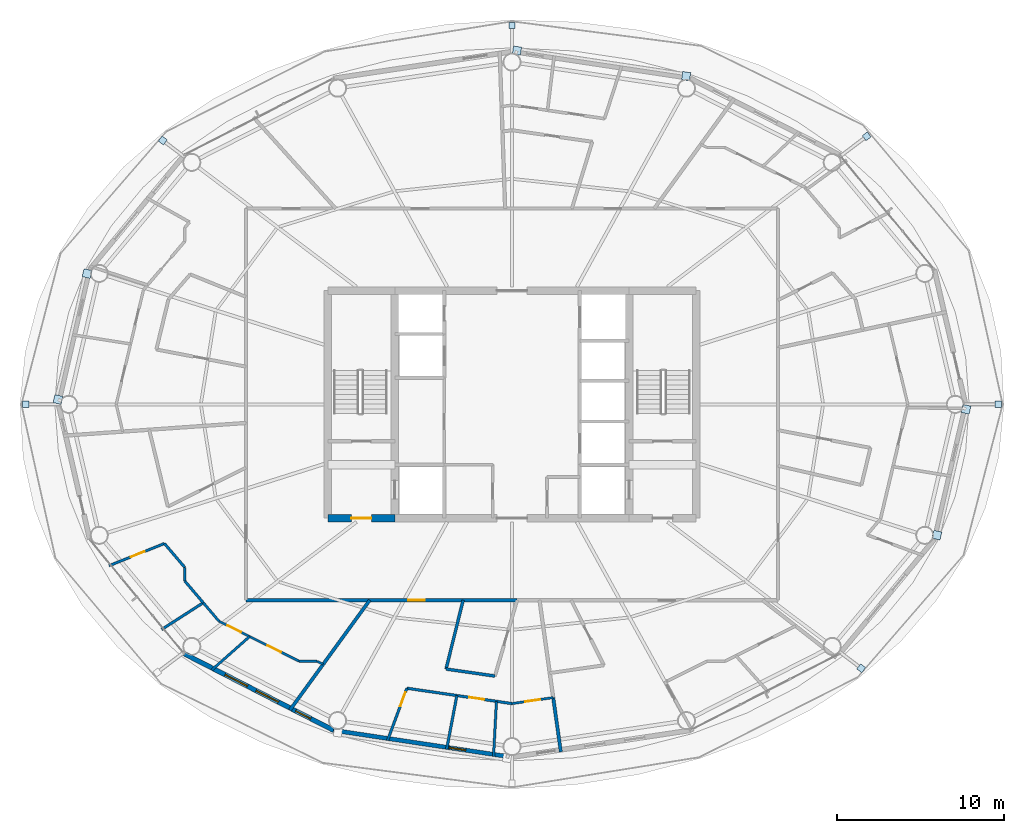
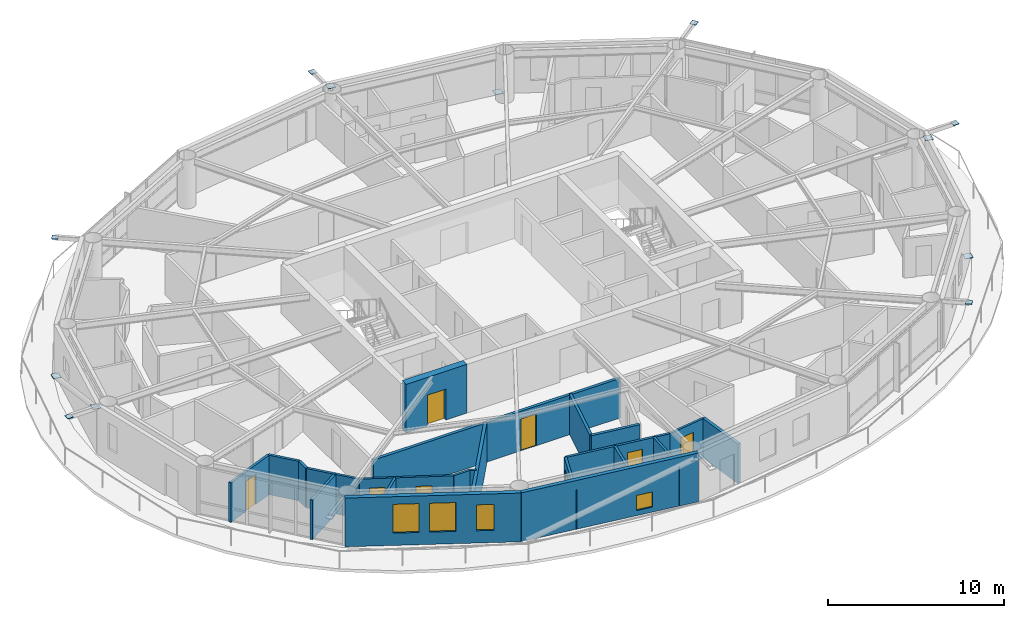
# One storey, part 20 of 30: 23 walls, 12 plates, 8 doors, 4 windows, 12 openings.
"""IFC4 building model written with IfcOpenShell, lengths in metres."""

from ifc_helpers import new_model, si_unit, direction, frame, frame_2d, origin, origin_2d, place, context, subcontext, project, spatial, rectangle, extrude, material, layer, layer_set, type_object, element, fill, save


model = new_model("IFC4")

# Units and contexts
model_context = context("Model", 3, precision=1e-05, world=origin(), true_north=direction((0.0, 1.0)))
body_context = subcontext(model_context, "Body", "Model", "MODEL_VIEW")
ifc_project = project(units=[si_unit("LENGTHUNIT", "METRE"), si_unit("AREAUNIT", "SQUARE_METRE"), si_unit("VOLUMEUNIT", "CUBIC_METRE"), si_unit("PLANEANGLEUNIT", "RADIAN"), si_unit("MASSUNIT", "GRAM", prefix="KILO")], contexts=[model_context])

# Site, building, storey
site_placement = place(None, origin())
site = spatial("IfcSite", under=ifc_project, at=site_placement, CompositionType="ELEMENT")
building_placement = place(site_placement, origin())
building = spatial("IfcBuilding", under=site, at=building_placement, Name="Sarneth Arch Tower", CompositionType="ELEMENT")
storey_placement = place(building_placement, frame((0.0, 0.0, 161.39990234375)))
storey = spatial("IfcBuildingStorey", under=building, at=storey_placement, Name="L40", CompositionType="ELEMENT", Elevation=161.39990234375)

# Plates
ifc_material_1 = material(Name="Steel S355", Category="steel")
ifc_layer_1 = layer(ifc_material_1, 0.035888671875)
ifc_layer_set_1 = layer_set([ifc_layer_1], Name="Steel S355")
plate_type = type_object("IfcPlateType", Name="PLT-GUSSET-30", PredefinedType="SHEET", material=ifc_layer_set_1)
for number, where, z_axis, x_axis, name in (
    (1, (77.0458984375, 42.0, 3.2021484375), (0.0, 0.0, 1.0), (1.0, 0.0, 0.0), "Steel end cap plate GP-1"),
    (2, (69.191650390625, 58.015625, 3.2021484375), (0.0, 0.0, 1.0), (0.797794439539, 0.602929541689, 0.0), "Steel end cap plate GP-1"),
):
    element("IfcPlate", number, at=place(storey_placement, frame(where, z_axis=z_axis, x_axis=x_axis)), inside=storey, type_object=plate_type, Name=name, PredefinedType="SHEET", context=body_context, shape_type="SweptSolid", body=[
        extrude(rectangle(XDim=0.3798828125, YDim=0.3798828125, at=origin_2d()), origin(), (0.0, 0.0, 1.0), 0.035888671875),
    ])
for number, where, z_axis, x_axis, name in (
    (3, (58.404296875, 61.612548828125, 0.001953125), (0.0, 0.0, 1.0), (-0.98883454203, 0.149017611339, 0.0), "Steel end cap plate GP-1"),
    (4, (48.296630859375, 63.13525390625, 3.03271484375), (0.0, 0.0, 1.0), (-0.98883454203, 0.149017611339, 0.0), "Steel end cap plate GP-1"),
):
    element("IfcPlate", number, at=place(storey_placement, frame(where, z_axis=z_axis, x_axis=x_axis)), inside=storey, type_object=plate_type, Name=name, PredefinedType="SHEET", context=body_context, shape_type="SweptSolid", body=[
        extrude(rectangle(XDim=0.486083984375, YDim=0.486083984375, at=origin_2d()), origin(), (0.0, 0.0, 1.0), 0.035888671875),
    ])
for number, where, z_axis, x_axis, name in (
    (5, (48.0, 64.640869140625, 3.2021484375), (0.0, 0.0, 1.0), (0.0, 1.0, 0.0), "Steel end cap plate GP-1"),
    (6, (27.134521484375, 57.76904296875, 3.2021484375), (0.0, 0.0, 1.0), (-0.797794439539, 0.602929541689, 0.0), "Steel end cap plate GP-1"),
):
    element("IfcPlate", number, at=place(storey_placement, frame(where, z_axis=z_axis, x_axis=x_axis)), inside=storey, type_object=plate_type, Name=name, PredefinedType="SHEET", context=body_context, shape_type="SweptSolid", body=[
        extrude(rectangle(XDim=0.3798828125, YDim=0.3798828125, at=origin_2d()), origin(), (0.0, 0.0, 1.0), 0.035888671875),
    ])
for number, where, z_axis, x_axis, name in (
    (7, (22.609619140625, 49.81298828125, 0.001953125), (0.0, 0.0, 1.0), (-0.225291159947, -0.974291482694, 0.0), "Steel end cap plate GP-1"),
    (8, (20.87109375, 42.292236328125, 3.03271484375), (0.0, 0.0, 1.0), (-0.225291159947, -0.974291482694, 0.0), "Steel end cap plate GP-1"),
):
    element("IfcPlate", number, at=place(storey_placement, frame(where, z_axis=z_axis, x_axis=x_axis)), inside=storey, type_object=plate_type, Name=name, PredefinedType="SHEET", context=body_context, shape_type="SweptSolid", body=[
        extrude(rectangle(XDim=0.486083984375, YDim=0.486083984375, at=origin_2d()), origin(), (0.0, 0.0, 1.0), 0.035888671875),
    ])
for number, where, z_axis, x_axis, name in (
    (9, (18.9541015625, 42.0, 3.2021484375), (0.0, 0.0, 1.0), (-1.0, 0.0, 0.0), "Steel end cap plate GP-1"),
    (10, (68.865478515625, 26.23095703125, 3.2021484375), (0.0, 0.0, 1.0), (0.797794439539, -0.602929541689, 0.0), "Steel end cap plate GP-1"),
):
    element("IfcPlate", number, at=place(storey_placement, frame(where, z_axis=z_axis, x_axis=x_axis)), inside=storey, type_object=plate_type, Name=name, PredefinedType="SHEET", context=body_context, shape_type="SweptSolid", body=[
        extrude(rectangle(XDim=0.3798828125, YDim=0.3798828125, at=origin_2d()), origin(), (0.0, 0.0, 1.0), 0.035888671875),
    ])
for number, where, z_axis, x_axis, name in (
    (11, (73.390380859375, 34.18701171875, 0.001953125), (0.0, 0.0, 1.0), (0.225291159947, 0.974291482694, 0.0), "Steel end cap plate GP-1"),
    (12, (75.12890625, 41.707763671875, 3.03271484375), (0.0, 0.0, 1.0), (0.225291159947, 0.974291482694, 0.0), "Steel end cap plate GP-1"),
):
    element("IfcPlate", number, at=place(storey_placement, frame(where, z_axis=z_axis, x_axis=x_axis)), inside=storey, type_object=plate_type, Name=name, PredefinedType="SHEET", context=body_context, shape_type="SweptSolid", body=[
        extrude(rectangle(XDim=0.486083984375, YDim=0.486083984375, at=origin_2d()), origin(), (0.0, 0.0, 1.0), 0.035888671875),
    ])

# Wall, opening, door
ifc_material_2 = material(Name="Concrete C50/60", Category="concrete")
ifc_layer_2 = layer(ifc_material_2, 0.449951171875)
ifc_layer_set_2 = layer_set([ifc_layer_2], Name="Concrete C50/60")
wall_type_1 = type_object("IfcWallType", Name="WALL-CORE-450", PredefinedType="SHEAR", material=ifc_layer_set_2)
wall_1_placement = place(storey_placement, frame((37.0, 35.199951171875, 0.0), z_axis=(0.0, 0.0, 1.0), x_axis=(1.0, 0.0, 0.0)))
wall_1 = element("IfcWall", 13, at=wall_1_placement, inside=storey, type_object=wall_type_1, Name="L40 Core shear wall S-W", PredefinedType="SHEAR", context=body_context, shape_type="SweptSolid", body=[
    extrude(rectangle(XDim=4.0, YDim=0.449951171875, at=frame_2d((2.0, 0.0))), origin(), (0.0, 0.0, 1.0), 3.380126953125),
])
opening_1_placement = place(wall_1_placement, frame((1.39990234375, 0.0, 0.0)))
opening_1 = element("IfcOpeningElement", 14, at=opening_1_placement, cuts=wall_1, Name="Opening FD-02", PredefinedType="OPENING", context=body_context, shape_type="SweptSolid", body=[
    extrude(rectangle(XDim=1.199951171875, YDim=2.14990234375, at=frame_2d((0.60009765625, 1.074951171875))), frame((0.0, 0.23486328125, 0.0), z_axis=(0.0, -1.0, 0.0), x_axis=(1.0, 0.0, 0.0)), (0.0, 0.0, 1.0), 0.469970703125),
])
ifc_material_3 = material(Name="Galvanised Steel S275 fire door set", Category="steel")
door_type_1 = type_object("IfcDoorType", Name="DR-FD90-1200", OperationType="SINGLE_SWING_LEFT", PredefinedType="DOOR", material=ifc_material_3)
door_1_placement = place(opening_1_placement, origin())
door_1 = element("IfcDoor", 15, at=door_1_placement, inside=storey, type_object=door_type_1, Name="L40 Firefighting lobby 1 exit door", OperationType="SINGLE_SWING_LEFT", OverallHeight=2.14990234375, OverallWidth=1.199951171875, PredefinedType="DOOR", context=body_context, shape_type="SweptSolid", body=[
    extrude(rectangle(XDim=1.199951171875, YDim=2.14990234375, at=frame_2d((0.60009765625, 1.074951171875))), frame((0.0, 0.02490234375, 0.0), z_axis=(0.0, -1.0, 0.0), x_axis=(1.0, 0.0, 0.0)), (0.0, 0.0, 1.0), 0.050048828125),
])
fill(opening_1, door_1)

ifc_material_4 = material(Name="Double steel-stud corridor fire wall", Category="steel")
ifc_layer_3 = layer(ifc_material_4, 0.18994140625)
ifc_layer_set_3 = layer_set([ifc_layer_3], Name="Double steel-stud corridor fire wall")
wall_type_2 = type_object("IfcWallType", Name="WALL-CORR-190", PredefinedType="PARTITIONING", material=ifc_layer_set_3)
wall_2_placement = place(storey_placement, frame((48.307861328125, 30.300048828125, 0.0), z_axis=(0.0, 0.0, 1.0), x_axis=(-1.0, 0.0, 0.0)))
wall_2 = element("IfcWall", 16, at=wall_2_placement, inside=storey, type_object=wall_type_2, Name="L40 Interior partition W-L40-TP-011", PredefinedType="PARTITIONING", context=body_context, shape_type="SweptSolid", body=[
    extrude(rectangle(XDim=16.207763671875, YDim=0.18994140625, at=frame_2d((8.10400390625, 0.0))), origin(), (0.0, 0.0, 1.0), 2.739990234375),
])
opening_2_placement = place(wall_2_placement, frame((5.52001953125, 0.0, 0.0)))
opening_2 = element("IfcOpeningElement", 17, at=opening_2_placement, cuts=wall_2, Name="Opening FD-08", PredefinedType="OPENING", context=body_context, shape_type="SweptSolid", body=[
    extrude(rectangle(XDim=1.0, YDim=2.199951171875, at=frame_2d((0.5, 1.10009765625))), frame((0.0, 0.10498046875, 0.0), z_axis=(0.0, -1.0, 0.0), x_axis=(1.0, 0.0, 0.0)), (0.0, 0.0, 1.0), 0.2099609375),
])
ifc_material_5 = material(Name="Hardwood timber acoustic fire door", Category="wood")
door_type_2 = type_object("IfcDoorType", Name="DR-FD60-1000", OperationType="SINGLE_SWING_LEFT", PredefinedType="DOOR", material=ifc_material_5)
door_2_placement = place(opening_2_placement, origin())
door_2 = element("IfcDoor", 18, at=door_2_placement, inside=storey, type_object=door_type_2, Name="L40 Interior door DR-L40-U6-ENT", OperationType="SINGLE_SWING_RIGHT", OverallHeight=2.199951171875, OverallWidth=1.0, PredefinedType="DOOR", context=body_context, shape_type="SweptSolid", body=[
    extrude(rectangle(XDim=1.0, YDim=2.199951171875, at=frame_2d((0.5, 1.10009765625))), frame((0.0, 0.02490234375, 0.0), z_axis=(0.0, -1.0, 0.0), x_axis=(1.0, 0.0, 0.0)), (0.0, 0.0, 1.0), 0.050048828125),
])
fill(opening_2, door_2)

# Wall, opening, window
ifc_material_6 = material(Name="Extruded terracotta rainscreen on Concrete C40/50 backing", Category="masonry")
ifc_layer_4 = layer(ifc_material_6, 0.25)
ifc_layer_set_4 = layer_set([ifc_layer_4], Name="Extruded terracotta rainscreen on Concrete C40/50 backing")
wall_type_3 = type_object("IfcWallType", Name="WALL-EXT-SPAND-250", PredefinedType="SOLIDWALL", material=ifc_layer_set_4)
wall_3_placement = place(storey_placement, frame((37.337158203125, 22.524658203125, 0.0), z_axis=(0.0, 0.0, 1.0), x_axis=(0.988863993413, -0.148822049884, 0.0)))
wall_3 = element("IfcWall", 19, at=wall_3_placement, inside=storey, type_object=wall_type_3, Name="L40 Terracotta perimeter wall 12", PredefinedType="SOLIDWALL", context=body_context, shape_type="SweptSolid", body=[
    extrude(rectangle(XDim=10.782958984375, YDim=0.25, at=frame_2d((5.3916015625, 0.0))), origin(), (0.0, 0.0, 1.0), 3.380126953125),
])
opening_3_placement = place(wall_3_placement, frame((6.993408203125, 0.0, 0.35009765625)))
opening_3 = element("IfcOpeningElement", 20, at=opening_3_placement, cuts=wall_3, Name="Opening W-14", PredefinedType="OPENING", context=body_context, shape_type="SweptSolid", body=[
    extrude(rectangle(XDim=1.0, YDim=1.050048828125, at=frame_2d((0.5, 0.52490234375))), frame((0.0, 0.135009765625, 0.0), z_axis=(0.0, -1.0, 0.0), x_axis=(1.0, 0.0, 0.0)), (0.0, 0.0, 1.0), 0.27001953125),
])
ifc_material_7 = material(Name="Thermally broken Aluminium 6063-T6 and low-e laminated IGU", Category="aluminium")
window_type_1 = type_object("IfcWindowType", Name="WIN-TWR-1000x1050", PartitioningType="SINGLE_PANEL", PredefinedType="WINDOW", material=ifc_material_7)
window_1_placement = place(opening_3_placement, origin())
window_1 = element("IfcWindow", 21, at=window_1_placement, inside=storey, type_object=window_type_1, Name="L40 Dwelling bedroom window 05", OverallHeight=1.050048828125, OverallWidth=1.0, PartitioningType="SINGLE_PANEL", PredefinedType="WINDOW", context=body_context, shape_type="SweptSolid", body=[
    extrude(rectangle(XDim=1.0, YDim=1.050048828125, at=frame_2d((0.5, 0.52490234375))), frame((0.0, 0.030029296875, 0.0), z_axis=(0.0, -1.0, 0.0), x_axis=(1.0, 0.0, 0.0)), (0.0, 0.0, 1.0), 0.06005859375),
])
fill(opening_3, window_1)

# Wall, openings, windows
ifc_material_8 = material(Name="Extruded terracotta rainscreen on Concrete C40/50 backing", Category="masonry")
ifc_layer_5 = layer(ifc_material_8, 0.280029296875)
ifc_layer_set_5 = layer_set([ifc_layer_5], Name="Extruded terracotta rainscreen on Concrete C40/50 backing")
wall_type_4 = type_object("IfcWallType", Name="WALL-EXT-TERRA-280", PredefinedType="SOLIDWALL", material=ifc_layer_set_5)
wall_4_placement = place(storey_placement, frame((28.423828125, 27.09423828125, 0.0), z_axis=(0.0, 0.0, 1.0), x_axis=(0.889872523182, -0.456209263919, 0.0)))
wall_4 = element("IfcWall", 22, at=wall_4_placement, inside=storey, type_object=wall_type_4, Name="L40 Terracotta perimeter wall 11", PredefinedType="SOLIDWALL", context=body_context, shape_type="SweptSolid", body=[
    extrude(rectangle(XDim=10.016357421875, YDim=0.280029296875, at=frame_2d((5.00830078125, 0.0))), origin(), (0.0, 0.0, 1.0), 3.380126953125),
])
opening_4_placement = place(wall_4_placement, frame((2.729248046875, 0.0, 0.85009765625)))
opening_4 = element("IfcOpeningElement", 23, at=opening_4_placement, cuts=wall_4, Name="Opening W-06", PredefinedType="OPENING", context=body_context, shape_type="SweptSolid", body=[
    extrude(rectangle(XDim=1.5, YDim=2.0, at=frame_2d((0.75, 1.0))), frame((0.0, 0.14990234375, 0.0), z_axis=(0.0, -1.0, 0.0), x_axis=(1.0, 0.0, 0.0)), (0.0, 0.0, 1.0), 0.300048828125),
])
opening_5_placement = place(wall_4_placement, frame((4.81103515625, 0.0, 0.85009765625)))
opening_5 = element("IfcOpeningElement", 24, at=opening_5_placement, cuts=wall_4, Name="Opening W-06", PredefinedType="OPENING", context=body_context, shape_type="SweptSolid", body=[
    extrude(rectangle(XDim=1.5, YDim=2.0, at=frame_2d((0.75, 1.0))), frame((0.0, 0.14990234375, 0.0), z_axis=(0.0, -1.0, 0.0), x_axis=(1.0, 0.0, 0.0)), (0.0, 0.0, 1.0), 0.300048828125),
])
opening_6_placement = place(wall_4_placement, frame((7.479248046875, 0.0, 0.85009765625)))
opening_6 = element("IfcOpeningElement", 25, at=opening_6_placement, cuts=wall_4, Name="Opening W-11", PredefinedType="OPENING", context=body_context, shape_type="SweptSolid", body=[
    extrude(rectangle(XDim=1.0, YDim=1.800048828125, at=frame_2d((0.5, 0.89990234375))), frame((0.0, 0.14990234375, 0.0), z_axis=(0.0, -1.0, 0.0), x_axis=(1.0, 0.0, 0.0)), (0.0, 0.0, 1.0), 0.300048828125),
])
ifc_material_9 = material(Name="Thermally broken Aluminium 6063-T6 and low-e laminated IGU", Category="aluminium")
window_type_2 = type_object("IfcWindowType", Name="WIN-TWR-1000x1800", PartitioningType="SINGLE_PANEL", PredefinedType="WINDOW", material=ifc_material_9)
window_2_placement = place(opening_6_placement, origin())
window_2 = element("IfcWindow", 26, at=window_2_placement, inside=storey, type_object=window_type_2, Name="L40 Exterior window 11C", OverallHeight=1.800048828125, OverallWidth=1.0, PartitioningType="SINGLE_PANEL", PredefinedType="WINDOW", context=body_context, shape_type="SweptSolid", body=[
    extrude(rectangle(XDim=1.0, YDim=1.800048828125, at=frame_2d((0.5, 0.89990234375))), frame((0.0, 0.030029296875, 0.0), z_axis=(0.0, -1.0, 0.0), x_axis=(1.0, 0.0, 0.0)), (0.0, 0.0, 1.0), 0.06005859375),
])
fill(opening_6, window_2)
ifc_material_10 = material(Name="Thermally broken Aluminium 6063-T6 and low-e laminated IGU", Category="aluminium")
window_type_3 = type_object("IfcWindowType", Name="WIN-TWR-1500x2000", PartitioningType="SINGLE_PANEL", PredefinedType="WINDOW", material=ifc_material_10)
window_3_placement = place(opening_4_placement, origin())
window_3 = element("IfcWindow", 27, at=window_3_placement, inside=storey, type_object=window_type_3, Name="L40 Exterior window 11A", OverallHeight=2.0, OverallWidth=1.5, PartitioningType="SINGLE_PANEL", PredefinedType="WINDOW", context=body_context, shape_type="SweptSolid", body=[
    extrude(rectangle(XDim=1.5, YDim=2.0, at=frame_2d((0.75, 1.0))), frame((0.0, 0.030029296875, 0.0), z_axis=(0.0, -1.0, 0.0), x_axis=(1.0, 0.0, 0.0)), (0.0, 0.0, 1.0), 0.06005859375),
])
fill(opening_4, window_3)
window_4_placement = place(opening_5_placement, origin())
window_4 = element("IfcWindow", 28, at=window_4_placement, inside=storey, type_object=window_type_3, Name="L40 Exterior window 11B", OverallHeight=2.0, OverallWidth=1.5, PartitioningType="SINGLE_PANEL", PredefinedType="WINDOW", context=body_context, shape_type="SweptSolid", body=[
    extrude(rectangle(XDim=1.5, YDim=2.0, at=frame_2d((0.75, 1.0))), frame((0.0, 0.030029296875, 0.0), z_axis=(0.0, -1.0, 0.0), x_axis=(1.0, 0.0, 0.0)), (0.0, 0.0, 1.0), 0.06005859375),
])
fill(opening_5, window_4)

# Wall, openings, doors
ifc_material_11 = material(Name="Apartment internal stud partition", Category="gypsum")
ifc_layer_6 = layer(ifc_material_11, 0.139892578125)
ifc_layer_set_6 = layer_set([ifc_layer_6], Name="Apartment internal stud partition")
wall_type_5 = type_object("IfcWallType", Name="WALL-PART-140", PredefinedType="PARTITIONING", material=ifc_layer_set_6)
wall_5_placement = place(storey_placement, frame((35.28662109375, 26.64990234375, 0.0), z_axis=(0.0, 0.0, 1.0), x_axis=(-0.894937323042, 0.44619187333, 0.0)))
wall_5 = element("IfcWall", 29, at=wall_5_placement, inside=storey, type_object=wall_type_5, Name="L40 Interior partition W-L40-TP-080", PredefinedType="PARTITIONING", context=body_context, shape_type="SweptSolid", body=[
    extrude(rectangle(XDim=5.35400390625, YDim=0.139892578125, at=frame_2d((2.677001953125, 0.0))), origin(), (0.0, 0.0, 1.0), 2.739990234375),
])
opening_7_placement = place(wall_5_placement, frame((1.22412109375, 0.0, 0.0)))
opening_7 = element("IfcOpeningElement", 30, at=opening_7_placement, cuts=wall_5, Name="Opening ID-01", PredefinedType="OPENING", context=body_context, shape_type="SweptSolid", body=[
    extrude(rectangle(XDim=0.89990234375, YDim=2.10009765625, at=frame_2d((0.449951171875, 1.050048828125))), frame((0.0, 0.079833984375, 0.0), z_axis=(0.0, -1.0, 0.0), x_axis=(1.0, 0.0, 0.0)), (0.0, 0.0, 1.0), 0.159912109375),
])
opening_8_placement = place(wall_5_placement, frame((3.8837890625, 0.0, 0.0)))
opening_8 = element("IfcOpeningElement", 31, at=opening_8_placement, cuts=wall_5, Name="Opening ID-01", PredefinedType="OPENING", context=body_context, shape_type="SweptSolid", body=[
    extrude(rectangle(XDim=0.89990234375, YDim=2.10009765625, at=frame_2d((0.449951171875, 1.050048828125))), frame((0.0, 0.079833984375, 0.0), z_axis=(0.0, -1.0, 0.0), x_axis=(1.0, 0.0, 0.0)), (0.0, 0.0, 1.0), 0.159912109375),
])
ifc_material_12 = material(Name="Engineered hardwood flush door", Category="wood")
door_type_3 = type_object("IfcDoorType", Name="DR-INT-900", OperationType="SINGLE_SWING_LEFT", PredefinedType="DOOR", material=ifc_material_12)
door_3_placement = place(opening_7_placement, origin())
door_3 = element("IfcDoor", 32, at=door_3_placement, inside=storey, type_object=door_type_3, Name="L40 Interior door DR-L40-U5-BED2", OperationType="SINGLE_SWING_RIGHT", OverallHeight=2.10009765625, OverallWidth=0.89990234375, PredefinedType="DOOR", context=body_context, shape_type="SweptSolid", body=[
    extrude(rectangle(XDim=0.89990234375, YDim=2.10009765625, at=frame_2d((0.449951171875, 1.050048828125))), frame((0.0, 0.02490234375, 0.0), z_axis=(0.0, -1.0, 0.0), x_axis=(1.0, 0.0, 0.0)), (0.0, 0.0, 1.0), 0.050048828125),
])
fill(opening_7, door_3)
door_4_placement = place(opening_8_placement, origin())
door_4 = element("IfcDoor", 33, at=door_4_placement, inside=storey, type_object=door_type_3, Name="L40 Interior door DR-L40-U5-BED1", OperationType="SINGLE_SWING_RIGHT", OverallHeight=2.10009765625, OverallWidth=0.89990234375, PredefinedType="DOOR", context=body_context, shape_type="SweptSolid", body=[
    extrude(rectangle(XDim=0.89990234375, YDim=2.10009765625, at=frame_2d((0.449951171875, 1.050048828125))), frame((0.0, 0.02490234375, 0.0), z_axis=(0.0, -1.0, 0.0), x_axis=(1.0, 0.0, 0.0)), (0.0, 0.0, 1.0), 0.050048828125),
])
fill(opening_8, door_4)

# Wall, opening, door
wall_6_placement = place(storey_placement, frame((50.46240234375, 24.47998046875, 0.0), z_axis=(0.0, 0.0, 1.0), x_axis=(-0.989489157172, -0.144607080872, 0.0)))
wall_6 = element("IfcWall", 34, at=wall_6_placement, inside=storey, type_object=wall_type_5, Name="L40 Interior partition W-L40-TP-091", PredefinedType="PARTITIONING", context=body_context, shape_type="SweptSolid", body=[
    extrude(rectangle(XDim=2.488525390625, YDim=0.139892578125, at=frame_2d((1.244140625, 0.0))), origin(), (0.0, 0.0, 1.0), 2.739990234375),
])
opening_9_placement = place(wall_6_placement, frame((0.794189453125, 0.0, 0.0)))
opening_9 = element("IfcOpeningElement", 35, at=opening_9_placement, cuts=wall_6, Name="Opening ID-01", PredefinedType="OPENING", context=body_context, shape_type="SweptSolid", body=[
    extrude(rectangle(XDim=0.89990234375, YDim=2.10009765625, at=frame_2d((0.449951171875, 1.050048828125))), frame((0.0, 0.079833984375, 0.0), z_axis=(0.0, -1.0, 0.0), x_axis=(1.0, 0.0, 0.0)), (0.0, 0.0, 1.0), 0.159912109375),
])
door_5_placement = place(opening_9_placement, origin())
door_5 = element("IfcDoor", 36, at=door_5_placement, inside=storey, type_object=door_type_3, Name="L40 Interior door DR-L40-U6-BED2", OperationType="SINGLE_SWING_LEFT", OverallHeight=2.10009765625, OverallWidth=0.89990234375, PredefinedType="DOOR", context=body_context, shape_type="SweptSolid", body=[
    extrude(rectangle(XDim=0.89990234375, YDim=2.10009765625, at=frame_2d((0.449951171875, 1.050048828125))), frame((0.0, 0.02490234375, 0.0), z_axis=(0.0, -1.0, 0.0), x_axis=(1.0, 0.0, 0.0)), (0.0, 0.0, 1.0), 0.050048828125),
])
fill(opening_9, door_5)

# Walls
wall_7_placement = place(storey_placement, frame((36.348876953125, 26.64990234375, 0.0), z_axis=(0.0, 0.0, 1.0), x_axis=(-1.0, 0.0, 0.0)))
element("IfcWall", 37, at=wall_7_placement, inside=storey, type_object=wall_type_5, Name="L40 Interior partition W-L40-TP-079", PredefinedType="PARTITIONING", context=body_context, shape_type="SweptSolid", body=[
    extrude(rectangle(XDim=1.062255859375, YDim=0.139892578125, at=frame_2d((0.53125, 0.0))), origin(), (0.0, 0.0, 1.0), 2.739990234375),
])
wall_8_placement = place(storey_placement, frame((36.715087890625, 26.467529296875, 0.0), z_axis=(0.0, 0.0, 1.0), x_axis=(-0.895142158028, 0.445780794698, 0.0)))
element("IfcWall", 38, at=wall_8_placement, inside=storey, type_object=wall_type_5, Name="L40 Interior partition W-L40-TP-078", PredefinedType="PARTITIONING", context=body_context, shape_type="SweptSolid", body=[
    extrude(rectangle(XDim=0.4091796875, YDim=0.139892578125, at=frame_2d((0.20458984375, 0.0))), origin(), (0.0, 0.0, 1.0), 2.739990234375),
])
ifc_material_13 = material(Name="Acoustic gypsum stud partition", Category="gypsum")
ifc_layer_7 = layer(ifc_material_13, 0.14990234375)
ifc_layer_set_7 = layer_set([ifc_layer_7], Name="Acoustic gypsum stud partition")
wall_type_6 = type_object("IfcWallType", Name="WALL-PART-150", PredefinedType="PARTITIONING", material=ifc_layer_set_7)
wall_9_placement = place(storey_placement, frame((46.897705078125, 20.965087890625, 0.0), z_axis=(0.0, 0.0, 1.0), x_axis=(0.052302203263, 0.998631303101, 0.0)))
element("IfcWall", 39, at=wall_9_placement, inside=storey, type_object=wall_type_6, Name="L40 Interior partition W-L40-TP-096", PredefinedType="PARTITIONING", context=body_context, shape_type="SweptSolid", body=[
    extrude(rectangle(XDim=3.29541015625, YDim=0.14990234375, at=frame_2d((1.647705078125, 0.0))), origin(), (0.0, 0.0, 1.0), 2.739990234375),
])
wall_10_placement = place(storey_placement, frame((32.321044921875, 28.12841796875, 0.0), z_axis=(0.0, 0.0, 1.0), x_axis=(-0.748956405403, -0.6626192744, 0.0)))
element("IfcWall", 40, at=wall_10_placement, inside=storey, type_object=wall_type_6, Name="L40 Interior partition W-L40-TP-083", PredefinedType="PARTITIONING", context=body_context, shape_type="SweptSolid", body=[
    extrude(rectangle(XDim=3.017333984375, YDim=0.14990234375, at=frame_2d((1.5087890625, 0.0))), origin(), (0.0, 0.0, 1.0), 2.739990234375),
])
wall_11_placement = place(storey_placement, frame((29.552978515625, 30.146484375, 0.0), z_axis=(0.0, 0.0, 1.0), x_axis=(0.647896934681, -0.761728010533, 0.0)))
element("IfcWall", 41, at=wall_11_placement, inside=storey, type_object=wall_type_6, Name="L40 Interior partition W-L40-TP-076", PredefinedType="PARTITIONING", context=body_context, shape_type="SweptSolid", body=[
    extrude(rectangle(XDim=1.4541015625, YDim=0.14990234375, at=frame_2d((0.72705078125, 0.0))), origin(), (0.0, 0.0, 1.0), 2.739990234375),
])

# Wall, opening, door
ifc_material_14 = material(Name="Kitchen wet service chase wall", Category="gypsum")
ifc_layer_8 = layer(ifc_material_14, 0.159912109375)
ifc_layer_set_8 = layer_set([ifc_layer_8], Name="Kitchen wet service chase wall")
wall_type_7 = type_object("IfcWallType", Name="WALL-PLUMB-160", PredefinedType="PLUMBINGWALL", material=ifc_layer_set_8)
wall_12_placement = place(storey_placement, frame((23.920654296875, 32.359619140625, 0.0), z_axis=(0.0, 0.0, 1.0), x_axis=(0.928353942887, 0.371697399408, 0.0)))
wall_12 = element("IfcWall", 42, at=wall_12_placement, inside=storey, type_object=wall_type_7, Name="L40 Interior partition W-L40-TP-070", PredefinedType="PLUMBINGWALL", context=body_context, shape_type="SweptSolid", body=[
    extrude(rectangle(XDim=3.56787109375, YDim=0.159912109375, at=frame_2d((1.783935546875, 0.0))), origin(), (0.0, 0.0, 1.0), 2.739990234375),
])
opening_10_placement = place(wall_12_placement, frame((1.39404296875, 0.0, 0.0)))
opening_10 = element("IfcOpeningElement", 43, at=opening_10_placement, cuts=wall_12, Name="Opening ID-01", PredefinedType="OPENING", context=body_context, shape_type="SweptSolid", body=[
    extrude(rectangle(XDim=0.89990234375, YDim=2.10009765625, at=frame_2d((0.449951171875, 1.050048828125))), frame((0.0, 0.08984375, 0.0), z_axis=(0.0, -1.0, 0.0), x_axis=(1.0, 0.0, 0.0)), (0.0, 0.0, 1.0), 0.179931640625),
])
door_6_placement = place(opening_10_placement, origin())
door_6 = element("IfcDoor", 44, at=door_6_placement, inside=storey, type_object=door_type_3, Name="L40 Interior door DR-L40-U5-KIT", OperationType="SINGLE_SWING_RIGHT", OverallHeight=2.10009765625, OverallWidth=0.89990234375, PredefinedType="DOOR", context=body_context, shape_type="SweptSolid", body=[
    extrude(rectangle(XDim=0.89990234375, YDim=2.10009765625, at=frame_2d((0.449951171875, 1.050048828125))), frame((0.0, 0.02490234375, 0.0), z_axis=(0.0, -1.0, 0.0), x_axis=(1.0, 0.0, 0.0)), (0.0, 0.0, 1.0), 0.050048828125),
])
fill(opening_10, door_6)

wall_13_placement = place(storey_placement, frame((41.719482421875, 25.03857421875, 0.0), z_axis=(0.0, 0.0, 1.0), x_axis=(-0.347266531909, -0.937766471898, 0.0)))
wall_13 = element("IfcWall", 45, at=wall_13_placement, inside=storey, type_object=wall_type_7, Name="L40 Interior partition W-L40-TP-086", PredefinedType="PLUMBINGWALL", context=body_context, shape_type="SweptSolid", body=[
    extrude(rectangle(XDim=3.325439453125, YDim=0.159912109375, at=frame_2d((1.66259765625, 0.0))), origin(), (0.0, 0.0, 1.0), 2.739990234375),
])
opening_11_placement = place(wall_13_placement, frame((0.252685546875, 0.0, 0.0)))
opening_11 = element("IfcOpeningElement", 46, at=opening_11_placement, cuts=wall_13, Name="Opening ID-01", PredefinedType="OPENING", context=body_context, shape_type="SweptSolid", body=[
    extrude(rectangle(XDim=0.89990234375, YDim=2.10009765625, at=frame_2d((0.449951171875, 1.050048828125))), frame((0.0, 0.08984375, 0.0), z_axis=(0.0, -1.0, 0.0), x_axis=(1.0, 0.0, 0.0)), (0.0, 0.0, 1.0), 0.179931640625),
])
door_7_placement = place(opening_11_placement, origin())
door_7 = element("IfcDoor", 47, at=door_7_placement, inside=storey, type_object=door_type_3, Name="L40 Interior door DR-L40-U6-KIT", OperationType="SINGLE_SWING_LEFT", OverallHeight=2.10009765625, OverallWidth=0.89990234375, PredefinedType="DOOR", context=body_context, shape_type="SweptSolid", body=[
    extrude(rectangle(XDim=0.89990234375, YDim=2.10009765625, at=frame_2d((0.449951171875, 1.050048828125))), frame((0.0, 0.02490234375, 0.0), z_axis=(0.0, -1.0, 0.0), x_axis=(1.0, 0.0, 0.0)), (0.0, 0.0, 1.0), 0.050048828125),
])
fill(opening_11, door_7)

# Wall
wall_14_placement = place(storey_placement, frame((44.09619140625, 21.38623046875, 0.0), z_axis=(0.0, 0.0, 1.0), x_axis=(0.186049333211, 0.982540404061, 0.0)))
element("IfcWall", 48, at=wall_14_placement, inside=storey, type_object=wall_type_7, Name="L40 Interior partition W-L40-TP-095", PredefinedType="PLUMBINGWALL", context=body_context, shape_type="SweptSolid", body=[
    extrude(rectangle(XDim=3.272705078125, YDim=0.159912109375, at=frame_2d((1.63623046875, 0.0))), origin(), (0.0, 0.0, 1.0), 2.739990234375),
])

# Wall, opening, door
wall_15_placement = place(storey_placement, frame((48.0, 24.1201171875, 0.0), z_axis=(0.0, 0.0, 1.0), x_axis=(-0.989475575411, 0.144699985022, 0.0)))
wall_15 = element("IfcWall", 49, at=wall_15_placement, inside=storey, type_object=wall_type_7, Name="L40 Interior partition W-L40-TP-085", PredefinedType="PLUMBINGWALL", context=body_context, shape_type="SweptSolid", body=[
    extrude(rectangle(XDim=6.347412109375, YDim=0.159912109375, at=frame_2d((3.173828125, 0.0))), origin(), (0.0, 0.0, 1.0), 2.739990234375),
])
opening_12_placement = place(wall_15_placement, frame((1.684814453125, 0.0, 0.0)))
opening_12 = element("IfcOpeningElement", 50, at=opening_12_placement, cuts=wall_15, Name="Opening ID-01", PredefinedType="OPENING", context=body_context, shape_type="SweptSolid", body=[
    extrude(rectangle(XDim=0.89990234375, YDim=2.10009765625, at=frame_2d((0.449951171875, 1.050048828125))), frame((0.0, 0.08984375, 0.0), z_axis=(0.0, -1.0, 0.0), x_axis=(1.0, 0.0, 0.0)), (0.0, 0.0, 1.0), 0.179931640625),
])
door_8_placement = place(opening_12_placement, origin())
door_8 = element("IfcDoor", 51, at=door_8_placement, inside=storey, type_object=door_type_3, Name="L40 Interior door DR-L40-U6-BED1", OperationType="SINGLE_SWING_RIGHT", OverallHeight=2.10009765625, OverallWidth=0.89990234375, PredefinedType="DOOR", context=body_context, shape_type="SweptSolid", body=[
    extrude(rectangle(XDim=0.89990234375, YDim=2.10009765625, at=frame_2d((0.449951171875, 1.050048828125))), frame((0.0, 0.02490234375, 0.0), z_axis=(0.0, -1.0, 0.0), x_axis=(1.0, 0.0, 0.0)), (0.0, 0.0, 1.0), 0.050048828125),
])
fill(opening_12, door_8)

# Walls
wall_16_placement = place(storey_placement, frame((29.552978515625, 30.146484375, 0.0), z_axis=(0.0, 0.0, 1.0), x_axis=(-0.841296531109, -0.540573904978, 0.0)))
element("IfcWall", 52, at=wall_16_placement, inside=storey, type_object=wall_type_7, Name="L40 Interior partition W-L40-TP-082", PredefinedType="PLUMBINGWALL", context=body_context, shape_type="SweptSolid", body=[
    extrude(rectangle(XDim=2.9560546875, YDim=0.159912109375, at=frame_2d((1.47802734375, 0.0))), origin(), (0.0, 0.0, 1.0), 2.739990234375),
])
wall_17_placement = place(storey_placement, frame((27.23291015625, 33.685791015625, 0.0), z_axis=(0.0, 0.0, 1.0), x_axis=(0.648078524475, -0.761573519835, 0.0)))
element("IfcWall", 53, at=wall_17_placement, inside=storey, type_object=wall_type_7, Name="L40 Interior partition W-L40-TP-071", PredefinedType="PLUMBINGWALL", context=body_context, shape_type="SweptSolid", body=[
    extrude(rectangle(XDim=1.8779296875, YDim=0.159912109375, at=frame_2d((0.93896484375, 0.0))), origin(), (0.0, 0.0, 1.0), 2.739990234375),
])
wall_18_placement = place(storey_placement, frame((28.449951171875, 31.443359375, 0.0), z_axis=(0.0, 0.0, 1.0), x_axis=(0.64788149294, -0.761741144422, 0.0)))
element("IfcWall", 54, at=wall_18_placement, inside=storey, type_object=wall_type_7, Name="L40 Interior partition W-L40-TP-073", PredefinedType="PLUMBINGWALL", context=body_context, shape_type="SweptSolid", body=[
    extrude(rectangle(XDim=1.702392578125, YDim=0.159912109375, at=frame_2d((0.85107421875, 0.0))), origin(), (0.0, 0.0, 1.0), 2.739990234375),
])
wall_19_placement = place(storey_placement, frame((28.449951171875, 32.255615234375, 0.0), z_axis=(0.0, 0.0, 1.0), x_axis=(0.0, -1.0, 0.0)))
element("IfcWall", 55, at=wall_19_placement, inside=storey, type_object=wall_type_7, Name="L40 Interior partition W-L40-TP-072", PredefinedType="PLUMBINGWALL", context=body_context, shape_type="SweptSolid", body=[
    extrude(rectangle(XDim=0.812255859375, YDim=0.159912109375, at=frame_2d((0.40625, 0.0))), origin(), (0.0, 0.0, 1.0), 2.739990234375),
])
ifc_material_15 = material(Name="Moisture-resistant plumbing chase wall", Category="gypsum")
ifc_layer_9 = layer(ifc_material_15, 0.179931640625)
ifc_layer_set_9 = layer_set([ifc_layer_9], Name="Moisture-resistant plumbing chase wall")
wall_type_8 = type_object("IfcWallType", Name="WALL-PLUMB-180", PredefinedType="PLUMBINGWALL", material=ifc_layer_set_9)
wall_20_placement = place(storey_placement, frame((44.057373046875, 26.186767578125, 0.0), z_axis=(0.0, 0.0, 1.0), x_axis=(0.241939344098, 0.97029137571, 0.0)))
element("IfcWall", 56, at=wall_20_placement, inside=storey, type_object=wall_type_8, Name="L40 Interior partition W-L40-TP-089", PredefinedType="PLUMBINGWALL", context=body_context, shape_type="SweptSolid", body=[
    extrude(rectangle(XDim=4.2392578125, YDim=0.179931640625, at=frame_2d((2.11962890625, 0.0))), origin(), (0.0, 0.0, 1.0), 2.739990234375),
])
wall_21_placement = place(storey_placement, frame((46.9794921875, 25.7666015625, 0.0), z_axis=(0.0, 0.0, 1.0), x_axis=(-0.989820071869, 0.142324366588, 0.0)))
element("IfcWall", 57, at=wall_21_placement, inside=storey, type_object=wall_type_8, Name="L40 Interior partition W-L40-TP-088", PredefinedType="PLUMBINGWALL", context=body_context, shape_type="SweptSolid", body=[
    extrude(rectangle(XDim=2.9521484375, YDim=0.179931640625, at=frame_2d((1.47607421875, 0.0))), origin(), (0.0, 0.0, 1.0), 2.739990234375),
])
ifc_material_16 = material(Name="Double steel-stud acoustic drywall", Category="steel")
ifc_layer_10 = layer(ifc_material_16, 0.199951171875)
ifc_layer_set_10 = layer_set([ifc_layer_10], Name="Double steel-stud acoustic drywall")
wall_type_9 = type_object("IfcWallType", Name="WALL-UNIT-200", PredefinedType="PARTITIONING", material=ifc_layer_set_10)
wall_22_placement = place(storey_placement, frame((34.72607421875, 23.72998046875, 0.0), z_axis=(0.0, 0.0, 1.0), x_axis=(0.587785528328, 0.809016793823, 0.0)))
element("IfcWall", 58, at=wall_22_placement, inside=storey, type_object=wall_type_9, Name="L40 Interior partition W-L40-TP-081", PredefinedType="PARTITIONING", context=body_context, shape_type="SweptSolid", body=[
    extrude(rectangle(XDim=8.12109375, YDim=0.199951171875, at=frame_2d((4.060546875, 0.0))), origin(), (0.0, 0.0, 1.0), 2.739990234375),
])
wall_23_placement = place(storey_placement, frame((50.46240234375, 24.47998046875, 0.0), z_axis=(0.0, 0.0, 1.0), x_axis=(0.139145146576, -0.990271997072, 0.0)))
element("IfcWall", 59, at=wall_23_placement, inside=storey, type_object=wall_type_9, Name="L40 Interior partition W-L40-TP-097", PredefinedType="PARTITIONING", context=body_context, shape_type="SweptSolid", body=[
    extrude(rectangle(XDim=3.27392578125, YDim=0.199951171875, at=frame_2d((1.636962890625, 0.0))), origin(), (0.0, 0.0, 1.0), 2.739990234375),
])

save(model, "model.ifc")
